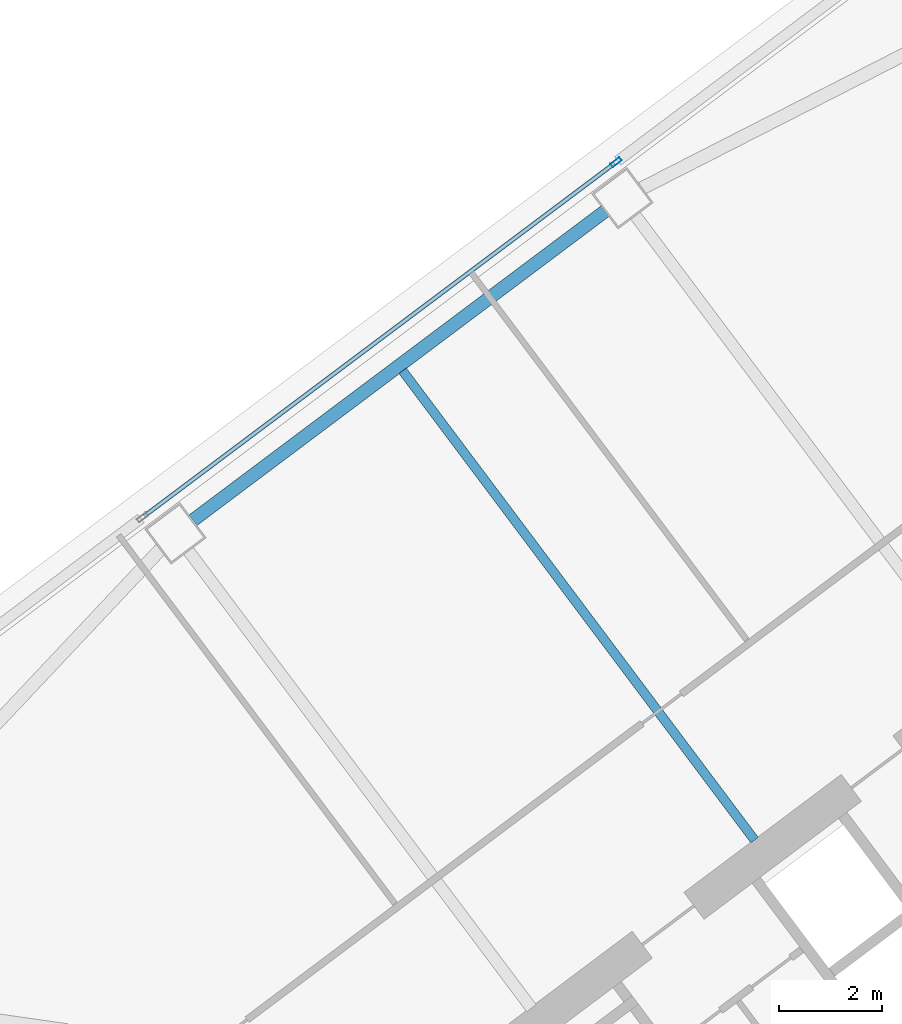
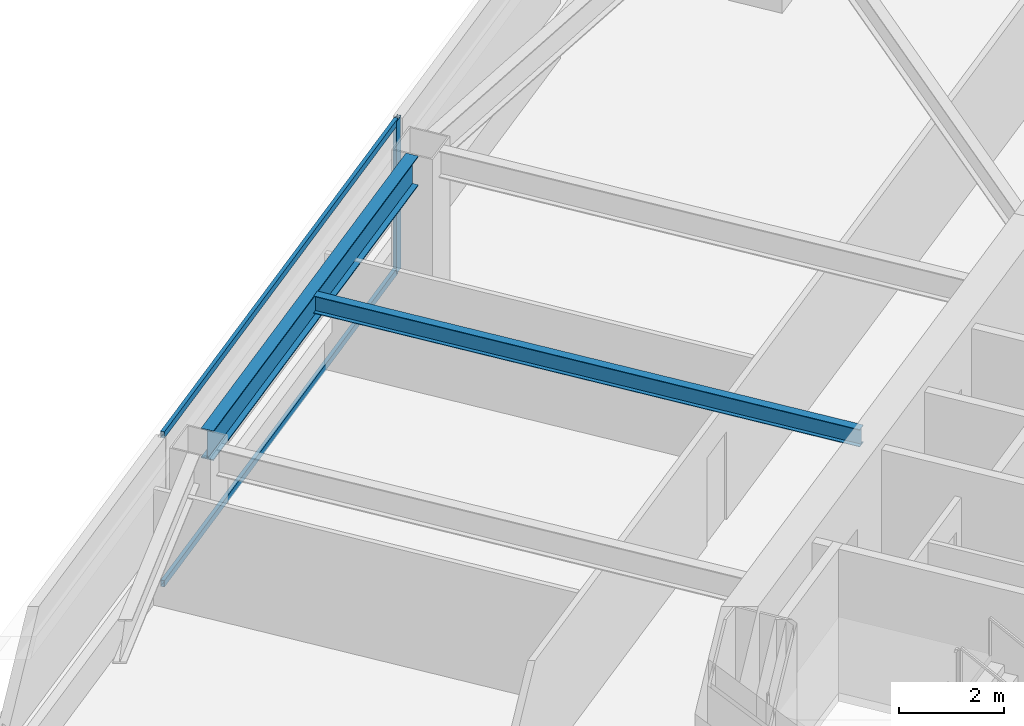
# One storey, part 30 of 47: 3 members, 2 beams, 1 element without a shape of its own.
"""IFC4 building model written with IfcOpenShell, lengths in metres."""

from ifc_helpers import new_model, si_unit, direction, frame, origin, origin_2d, place, context, subcontext, project, spatial, hollow_rectangle, i_section, extrude, material, material_profile, profile_set, type_object, element, aggregate, save


model = new_model("IFC4")

# Units and contexts
model_context = context("Model", 3, precision=1e-05, world=origin(), true_north=direction((0.0, 1.0)))
body_context = subcontext(model_context, "Body", "Model", "MODEL_VIEW")
ifc_project = project(units=[si_unit("LENGTHUNIT", "METRE"), si_unit("AREAUNIT", "SQUARE_METRE"), si_unit("VOLUMEUNIT", "CUBIC_METRE"), si_unit("PLANEANGLEUNIT", "RADIAN"), si_unit("MASSUNIT", "GRAM", prefix="KILO")], contexts=[model_context])

# Site, building, storey
site_placement = place(None, origin())
site = spatial("IfcSite", under=ifc_project, at=site_placement, CompositionType="ELEMENT")
building_placement = place(site_placement, origin())
building = spatial("IfcBuilding", under=site, at=building_placement, Name="Tashvorn Skyway Center", CompositionType="ELEMENT")
storey_placement = place(building_placement, frame((0.0, 0.0, 81.39990234375)))
storey = spatial("IfcBuildingStorey", under=building, at=storey_placement, Name="L21", CompositionType="ELEMENT", Elevation=81.39990234375)

# Beams
ifc_material_1 = material(Name="Steel ASTM A992 Grade 50", Category="steel")
ifc_material_profile_1 = material_profile(ifc_material_1, i_section(OverallWidth=0.177978515625, OverallDepth=0.406005859375, WebThickness=0.0078125, FlangeThickness=0.0126953125, at=origin_2d()), Name="W16X40")
ifc_profile_set_1 = profile_set([ifc_material_profile_1], Name="Steel ASTM A992 Grade 50")
beam_type_1 = type_object("IfcBeamType", Name="BM-JOIST-W16X40", PredefinedType="JOIST", material=ifc_profile_set_1)
beam_1_placement = place(storey_placement, frame((109.325927734375, 38.23193359375, 3.147216796875), z_axis=(-0.599996555327, 0.800002583493, 0.0), x_axis=(-0.800002583493, -0.599996555327, 0.0)))
element("IfcBeam", 1, at=beam_1_placement, inside=storey, type_object=beam_type_1, Name="Tower 2 L21 Secondary Composite Joist JN", PredefinedType="JOIST", context=body_context, shape_type="SweptSolid", body=[
    extrude(i_section(OverallWidth=0.177978515625, OverallDepth=0.406005859375, WebThickness=0.0078125, FlangeThickness=0.0126953125, at=origin_2d()), origin(), (0.0, 0.0, 1.0), 11.340087890625),
])
ifc_material_profile_2 = material_profile(ifc_material_1, i_section(OverallWidth=0.256103515625, OverallDepth=0.693115234375, WebThickness=0.014404296875, FlangeThickness=0.023681640625, at=origin_2d()), Name="W27X114")
ifc_profile_set_2 = profile_set([ifc_material_profile_2], Name="Steel ASTM A992 Grade 50")
beam_type_2 = type_object("IfcBeamType", Name="BM-SPANDREL-W27X114", PredefinedType="SPANDREL", material=ifc_profile_set_2)
beam_2_placement = place(storey_placement, frame((106.43408203125, 50.387939453125, 3.003662109375), z_axis=(-0.800008824351, -0.599988234018, 0.0), x_axis=(0.599988234018, -0.800008824351, 0.0)))
element("IfcBeam", 2, at=beam_2_placement, inside=storey, type_object=beam_type_2, Name="Tower 2 L21 Spandrel Beam 08", PredefinedType="SPANDREL", context=body_context, shape_type="SweptSolid", body=[
    extrude(i_section(OverallWidth=0.256103515625, OverallDepth=0.693115234375, WebThickness=0.014404296875, FlangeThickness=0.023681640625, at=origin_2d()), origin(), (0.0, 0.0, 1.0), 9.9599609375),
])

# Curtain wall, members
ifc_material_2 = material(Name="Thermally broken bronze-anodized aluminium 6063-T6", Category="aluminium")
curtain_wall_type = type_object("IfcCurtainWallType", Name="CW-CW-Z2", PredefinedType="NOTDEFINED", material=ifc_material_2)
curtain_wall_placement = place(storey_placement, origin())
curtain_wall = element("IfcCurtainWall", 3, at=curtain_wall_placement, inside=storey, type_object=curtain_wall_type, Name="Tower 2 L21 North Unitised Curtain Wall Glazing Group 2", PredefinedType="NOTDEFINED")
ifc_material_profile_3 = material_profile(ifc_material_2, hollow_rectangle(XDim=0.080078125, YDim=0.219970703125, WallThickness=0.0048828125, at=origin_2d()), Name="ALU-MULL-80x220")
ifc_profile_set_3 = profile_set([ifc_material_profile_3], Name="Thermally broken bronze-anodized aluminium 6063-T6")
member_type_1 = type_object("IfcMemberType", Name="CWM-CW-Z2", PredefinedType="MULLION", material=ifc_profile_set_3)
member_1_placement = place(storey_placement, frame((106.64794921875, 51.3359375, 0.0), z_axis=(0.0, 0.0, 1.0), x_axis=(-0.600000000002, 0.799999999998, 0.0)))
member_1 = element("IfcMember", 4, at=member_1_placement, type_object=member_type_1, Name="CW-Z2 mullion 2", PredefinedType="MULLION", context=body_context, shape_type="SweptSolid", body=[
    extrude(hollow_rectangle(XDim=0.080078125, YDim=0.219970703125, WallThickness=0.0048828125, at=origin_2d()), origin(), (0.0, 0.0, 1.0), 3.550048828125),
])
ifc_material_profile_4 = material_profile(ifc_material_2, hollow_rectangle(XDim=0.080078125, YDim=0.14990234375, WallThickness=0.00439453125, at=origin_2d()), Name="ALU-TRAN-80x150")
ifc_profile_set_4 = profile_set([ifc_material_profile_4], Name="Thermally broken bronze-anodized aluminium 6063-T6")
member_type_2 = type_object("IfcMemberType", Name="CWT-CW-Z2", PredefinedType="USERDEFINED", material=ifc_profile_set_4)
member_2_placement = place(storey_placement, frame((97.528076171875, 44.49609375, 0.0400390625), z_axis=(0.8, 0.6, 0.0), x_axis=(-0.6, 0.8, 0.0)))
member_2 = element("IfcMember", 5, at=member_2_placement, type_object=member_type_2, Name="CW-Z2 transom 1.1", ObjectType="TRANSOM", PredefinedType="USERDEFINED", context=body_context, shape_type="SweptSolid", body=[
    extrude(hollow_rectangle(XDim=0.080078125, YDim=0.14990234375, WallThickness=0.00439453125, at=origin_2d()), origin(), (0.0, 0.0, 1.0), 11.35986328125),
])
member_3_placement = place(storey_placement, frame((97.528076171875, 44.49609375, 3.510009765625), z_axis=(0.8, 0.6, 0.0), x_axis=(-0.6, 0.8, 0.0)))
member_3 = element("IfcMember", 6, at=member_3_placement, type_object=member_type_2, Name="CW-Z2 transom 1.2", ObjectType="TRANSOM", PredefinedType="USERDEFINED", context=body_context, shape_type="SweptSolid", body=[
    extrude(hollow_rectangle(XDim=0.080078125, YDim=0.14990234375, WallThickness=0.00439453125, at=origin_2d()), origin(), (0.0, 0.0, 1.0), 11.35986328125),
])
aggregate(curtain_wall, [member_1, member_2, member_3])

save(model, "model.ifc")
